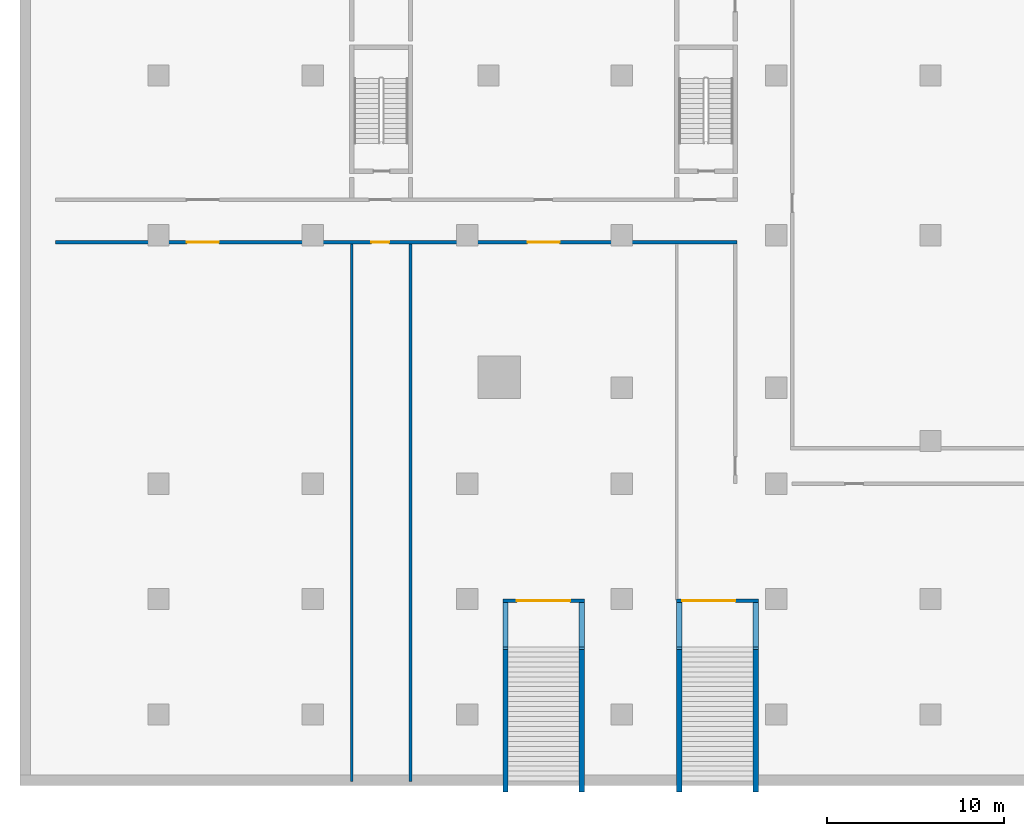
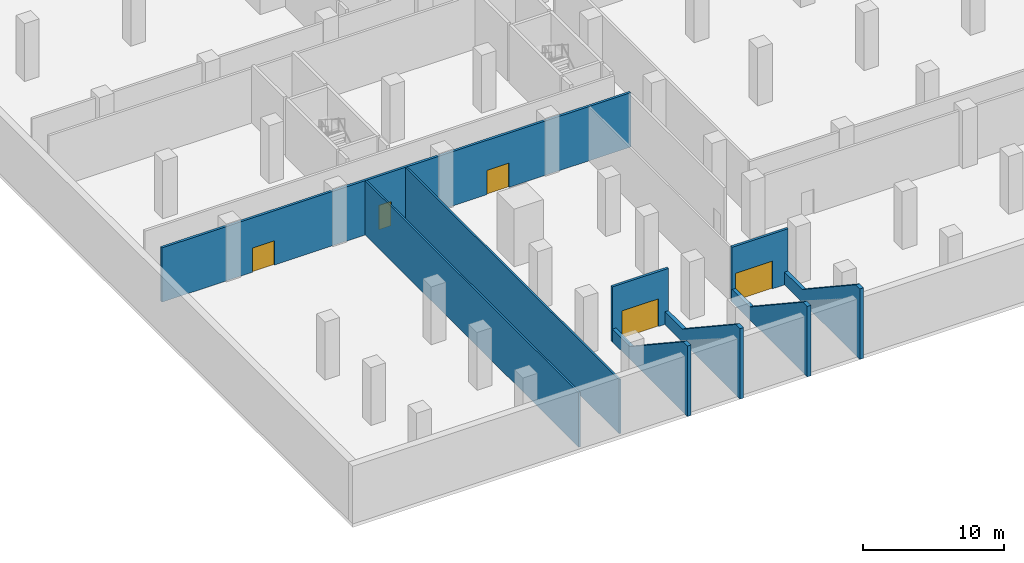
# One storey, part 2 of 16: 9 walls, 5 doors, 5 openings.
"""IFC4 building model written with IfcOpenShell, lengths in metres."""

from ifc_helpers import new_model, si_unit, direction, frame, frame_2d, origin, place, context, subcontext, project, spatial, polyline, rectangle, outline, extrude, material, layer, layer_set, layer_usage, type_object, element, fill, save


model = new_model("IFC4")

# Units and contexts
model_context = context("Model", 3, precision=1e-05, world=origin(), true_north=direction((0.0, 1.0)))
body_context = subcontext(model_context, "Body", "Model", "MODEL_VIEW")
ifc_project = project(units=[si_unit("LENGTHUNIT", "METRE"), si_unit("AREAUNIT", "SQUARE_METRE"), si_unit("VOLUMEUNIT", "CUBIC_METRE"), si_unit("PLANEANGLEUNIT", "RADIAN"), si_unit("MASSUNIT", "GRAM", prefix="KILO")], contexts=[model_context])

# Site, building, storey
site_placement = place(None, origin())
site = spatial("IfcSite", under=ifc_project, at=site_placement, CompositionType="ELEMENT")
building_placement = place(site_placement, origin())
building = spatial("IfcBuilding", under=site, at=building_placement, Name="Bicima Exchange Tower", CompositionType="ELEMENT")
storey_placement = place(building_placement, frame((0.0, 0.0, -5.0)))
storey = spatial("IfcBuildingStorey", under=building, at=storey_placement, Name="B1", CompositionType="ELEMENT", Elevation=-5.0)

# Wall, openings, doors
ifc_material_1 = material(Name="Gypsum board partition")
ifc_layer_1 = layer(ifc_material_1, 0.199951171875)
ifc_layer_set_1 = layer_set([ifc_layer_1], Name="Gypsum board partition")
wall_type_1 = type_object("IfcWallType", Name="Fire-rated gypsum partition 200 EI60", PredefinedType="PARTITIONING", material=ifc_layer_set_1)
wall_1_placement = place(storey_placement, frame((-58.0, -31.39990234375, 0.0), z_axis=(0.0, 0.0, 1.0), x_axis=(1.0, 0.0, 0.0)))
wall_1 = element("IfcWall", 1, at=wall_1_placement, inside=storey, type_object=wall_type_1, Name="partition wall 3", PredefinedType="PARTITIONING", context=body_context, shape_type="SweptSolid", body=[
    extrude(rectangle(XDim=38.39990234375, YDim=0.199951171875, at=frame_2d((19.199951171875, 0.0))), origin(), (0.0, 0.0, 1.0), 4.699951171875),
])
opening_1_placement = place(wall_1_placement, frame((7.39990234375, 0.0, 0.0)))
opening_1 = element("IfcOpeningElement", 2, at=opening_1_placement, cuts=wall_1, Name="Opening B1-019", PredefinedType="OPENING", context=body_context, shape_type="SweptSolid", body=[
    extrude(rectangle(XDim=1.800048828125, YDim=2.10009765625, at=frame_2d((0.89990234375, 1.050048828125))), frame((0.0, 0.11181640625, 0.0), z_axis=(0.0, -1.0, 0.0), x_axis=(1.0, 0.0, 0.0)), (0.0, 0.0, 1.0), 0.223876953125),
])
opening_2_placement = place(wall_1_placement, frame((17.800048828125, 0.0, 0.0)))
opening_2 = element("IfcOpeningElement", 3, at=opening_2_placement, cuts=wall_1, Name="Opening B1-021", PredefinedType="OPENING", context=body_context, shape_type="SweptSolid", body=[
    extrude(rectangle(XDim=1.0, YDim=2.10009765625, at=frame_2d((0.5, 1.050048828125))), frame((0.0, 0.11181640625, 0.0), z_axis=(0.0, -1.0, 0.0), x_axis=(1.0, 0.0, 0.0)), (0.0, 0.0, 1.0), 0.223876953125),
])
opening_3_placement = place(wall_1_placement, frame((26.60009765625, 0.0, 0.0)))
opening_3 = element("IfcOpeningElement", 4, at=opening_3_placement, cuts=wall_1, Name="Opening B1-023", PredefinedType="OPENING", context=body_context, shape_type="SweptSolid", body=[
    extrude(rectangle(XDim=1.800048828125, YDim=2.10009765625, at=frame_2d((0.89990234375, 1.050048828125))), frame((0.0, 0.11181640625, 0.0), z_axis=(0.0, -1.0, 0.0), x_axis=(1.0, 0.0, 0.0)), (0.0, 0.0, 1.0), 0.223876953125),
])
ifc_material_2 = material(Name="Steel fire door leaf", Category="steel")
door_type_1 = type_object("IfcDoorType", Name="Door 1000 swing FD30S", OperationType="SINGLE_SWING_LEFT", PredefinedType="DOOR", material=ifc_material_2)
door_1_placement = place(opening_2_placement, frame((1.0, 0.0, 0.0), z_axis=(0.0, 0.0, 1.0), x_axis=(-1.0, 0.0, 0.0)))
door_1 = element("IfcDoor", 5, at=door_1_placement, inside=storey, type_object=door_type_1, Name="Door", OperationType="SINGLE_SWING_RIGHT", OverallHeight=2.10009765625, OverallWidth=1.0, PredefinedType="DOOR", context=body_context, shape_type="SweptSolid", body=[
    extrude(rectangle(XDim=1.0, YDim=2.10009765625, at=frame_2d((0.5, 1.050048828125))), frame((0.0, 0.02490234375, 0.0), z_axis=(0.0, -1.0, 0.0), x_axis=(1.0, 0.0, 0.0)), (0.0, 0.0, 1.0), 0.050048828125),
])
fill(opening_2, door_1)
door_type_2 = type_object("IfcDoorType", Name="Door 1800 double swing FD30S", OperationType="DOUBLE_DOOR_SINGLE_SWING", PredefinedType="DOOR", material=ifc_material_2)
door_2_placement = place(opening_1_placement, origin())
door_2 = element("IfcDoor", 6, at=door_2_placement, inside=storey, type_object=door_type_2, Name="Door", OperationType="SINGLE_SWING_LEFT", OverallHeight=2.10009765625, OverallWidth=1.800048828125, PredefinedType="DOOR", context=body_context, shape_type="SweptSolid", body=[
    extrude(rectangle(XDim=1.800048828125, YDim=2.10009765625, at=frame_2d((0.89990234375, 1.050048828125))), frame((0.0, 0.02490234375, 0.0), z_axis=(0.0, -1.0, 0.0), x_axis=(1.0, 0.0, 0.0)), (0.0, 0.0, 1.0), 0.050048828125),
])
fill(opening_1, door_2)
door_3_placement = place(opening_3_placement, origin())
door_3 = element("IfcDoor", 7, at=door_3_placement, inside=storey, type_object=door_type_2, Name="Door", OperationType="SINGLE_SWING_LEFT", OverallHeight=2.10009765625, OverallWidth=1.800048828125, PredefinedType="DOOR", context=body_context, shape_type="SweptSolid", body=[
    extrude(rectangle(XDim=1.800048828125, YDim=2.10009765625, at=frame_2d((0.89990234375, 1.050048828125))), frame((0.0, 0.02490234375, 0.0), z_axis=(0.0, -1.0, 0.0), x_axis=(1.0, 0.0, 0.0)), (0.0, 0.0, 1.0), 0.050048828125),
])
fill(opening_3, door_3)

# Walls
ifc_layer_2 = layer(ifc_material_1, 0.14990234375)
ifc_layer_set_2 = layer_set([ifc_layer_2], Name="Gypsum board partition")
wall_type_2 = type_object("IfcWallType", Name="Gypsum partition 150", PredefinedType="PARTITIONING", material=ifc_layer_set_2)
for number, where, z_axis, x_axis, name in (
    (8, (-41.300048828125, -61.7900390625, 0.0), (0.0, 0.0, 1.0), (0.0, 1.0, 0.0), "partition wall 30"),
    (9, (-38.0, -61.7900390625, 0.0), (0.0, 0.0, 1.0), (0.0, 1.0, 0.0), "partition wall 32"),
):
    element("IfcWall", number, at=place(storey_placement, frame(where, z_axis=z_axis, x_axis=x_axis)), inside=storey, type_object=wall_type_2, Name=name, PredefinedType="PARTITIONING", context=body_context, shape_type="SweptSolid", body=[
        extrude(rectangle(XDim=30.2900390625, YDim=0.14990234375, at=frame_2d((15.14501953125, 0.0))), origin(), (0.0, 0.0, 1.0), 4.699951171875),
    ])

# Wall, opening, door
ifc_material_3 = material(Name="Concrete C40/50", Category="concrete")
ifc_layer_3 = layer(ifc_material_3, 0.2)
ifc_layer_set_3 = layer_set([ifc_layer_3], Name="Concrete C40/50")
ifc_layer_usage_1 = layer_usage(ifc_layer_set_3, "AXIS2", "POSITIVE", -0.1)
wall_type_3 = type_object("IfcWallType", Name="Station entrance screen wall 200", PredefinedType="STANDARD", material=ifc_layer_set_3)
wall_2_placement = place(storey_placement, frame((-28.199951171875, -51.60009765625, 0.0), z_axis=(0.0, 0.0, 1.0), x_axis=(-1.0, 0.0, 0.0)))
wall_2 = element("IfcWall", 10, at=wall_2_placement, inside=storey, type_object=wall_type_3, material=ifc_layer_usage_1, Name="Station entrance screen wall 1", PredefinedType="STANDARD", context=body_context, shape_type="SweptSolid", body=[
    extrude(rectangle(XDim=4.60009765625, YDim=0.199951171875, at=frame_2d((2.300048828125, 0.0))), origin(), (0.0, 0.0, 1.0), 4.75),
])
opening_4_placement = place(wall_2_placement, frame((0.800048828125, 0.0, 0.0)))
opening_4 = element("IfcOpeningElement", 11, at=opening_4_placement, cuts=wall_2, Name="Opening SD1", PredefinedType="OPENING", context=body_context, shape_type="SweptSolid", body=[
    extrude(rectangle(XDim=3.0, YDim=2.39990234375, at=frame_2d((1.5, 1.199951171875))), frame((0.0, 0.11181640625, 0.0), z_axis=(0.0, -1.0, 0.0), x_axis=(1.0, 0.0, 0.0)), (0.0, 0.0, 1.0), 0.223876953125),
])
ifc_material_4 = material(Name="Anodised bronze aluminium and bonded safety glass", Category="aluminium")
door_type_3 = type_object("IfcDoorType", Name="Station entrance door, double leaf 3000 x 2400", OperationType="DOUBLE_DOOR_DOUBLE_SWING", PredefinedType="DOOR", material=ifc_material_4)
door_4_placement = place(opening_4_placement, origin())
door_4 = element("IfcDoor", 12, at=door_4_placement, inside=storey, type_object=door_type_3, Name="Station entrance door 1", OperationType="SINGLE_SWING_LEFT", OverallHeight=2.39990234375, OverallWidth=3.0, PredefinedType="DOOR", context=body_context, shape_type="SweptSolid", body=[
    extrude(rectangle(XDim=3.0, YDim=2.39990234375, at=frame_2d((1.5, 1.199951171875))), frame((0.0, 0.02490234375, 0.0), z_axis=(0.0, -1.0, 0.0), x_axis=(1.0, 0.0, 0.0)), (0.0, 0.0, 1.0), 0.050048828125),
])
fill(opening_4, door_4)

wall_3_placement = place(storey_placement, frame((-18.39990234375, -51.60009765625, 0.0), z_axis=(0.0, 0.0, 1.0), x_axis=(-1.0, 0.0, 0.0)))
wall_3 = element("IfcWall", 13, at=wall_3_placement, inside=storey, type_object=wall_type_3, material=ifc_layer_usage_1, Name="Station entrance screen wall 2", PredefinedType="STANDARD", context=body_context, shape_type="SweptSolid", body=[
    extrude(rectangle(XDim=4.60009765625, YDim=0.199951171875, at=frame_2d((2.300048828125, 0.0))), origin(), (0.0, 0.0, 1.0), 4.75),
])
opening_5_placement = place(wall_3_placement, frame((1.300048828125, 0.0, 0.0)))
opening_5 = element("IfcOpeningElement", 14, at=opening_5_placement, cuts=wall_3, Name="Opening SD1", PredefinedType="OPENING", context=body_context, shape_type="SweptSolid", body=[
    extrude(rectangle(XDim=3.0, YDim=2.39990234375, at=frame_2d((1.5, 1.199951171875))), frame((0.0, 0.11181640625, 0.0), z_axis=(0.0, -1.0, 0.0), x_axis=(1.0, 0.0, 0.0)), (0.0, 0.0, 1.0), 0.223876953125),
])
door_5_placement = place(opening_5_placement, origin())
door_5 = element("IfcDoor", 15, at=door_5_placement, inside=storey, type_object=door_type_3, Name="Station entrance door 2", OperationType="SINGLE_SWING_LEFT", OverallHeight=2.39990234375, OverallWidth=3.0, PredefinedType="DOOR", context=body_context, shape_type="SweptSolid", body=[
    extrude(rectangle(XDim=3.0, YDim=2.39990234375, at=frame_2d((1.5, 1.199951171875))), frame((0.0, 0.02490234375, 0.0), z_axis=(0.0, -1.0, 0.0), x_axis=(1.0, 0.0, 0.0)), (0.0, 0.0, 1.0), 0.050048828125),
])
fill(opening_5, door_5)

# Walls
ifc_layer_4 = layer(ifc_material_3, 0.3)
ifc_layer_set_4 = layer_set([ifc_layer_4], Name="Concrete C40/50")
ifc_layer_usage_2 = layer_usage(ifc_layer_set_4, "AXIS2", "POSITIVE", -0.15)
wall_type_4 = type_object("IfcWallType", Name="Station well wall 300", PredefinedType="STANDARD", material=ifc_layer_set_4)
for number, where, z_axis, x_axis, name in (
    (16, (-32.64990234375, -51.60009765625, 0.0), (0.0, 0.0, 1.0), (0.0, -1.0, 0.0), "Station well wall 1W"),
    (17, (-28.35009765625, -51.60009765625, 0.0), (0.0, 0.0, 1.0), (0.0, -1.0, 0.0), "Station well wall 1E"),
    (18, (-22.85009765625, -51.60009765625, 0.0), (0.0, 0.0, 1.0), (0.0, -1.0, 0.0), "Station well wall 2W"),
    (19, (-18.550048828125, -51.60009765625, 0.0), (0.0, 0.0, 1.0), (0.0, -1.0, 0.0), "Station well wall 2E"),
):
    element("IfcWall", number, at=place(storey_placement, frame(where, z_axis=z_axis, x_axis=x_axis)), inside=storey, type_object=wall_type_4, material=ifc_layer_usage_2, Name=name, PredefinedType="STANDARD", context=body_context, shape_type="SweptSolid", body=[
        extrude(outline(polyline([(0.0, 0.0), (10.760009765625, 0.0), (10.760009765625, 6.10009765625), (10.159912109375, 6.10009765625), (2.60009765625, 1.10009765625), (0.0, 1.10009765625), (0.0, 0.0)])), frame((0.0, 0.14990234375, 0.0), z_axis=(0.0, -1.0, 0.0), x_axis=(1.0, 0.0, 0.0)), (0.0, 0.0, 1.0), 0.300048828125),
    ])

save(model, "model.ifc")
